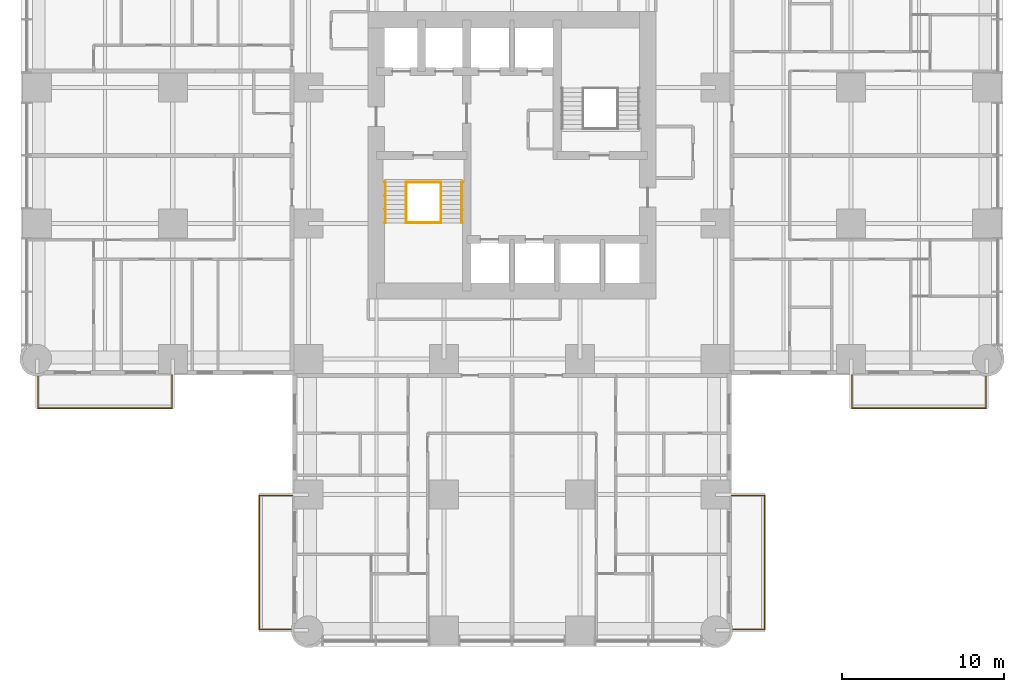
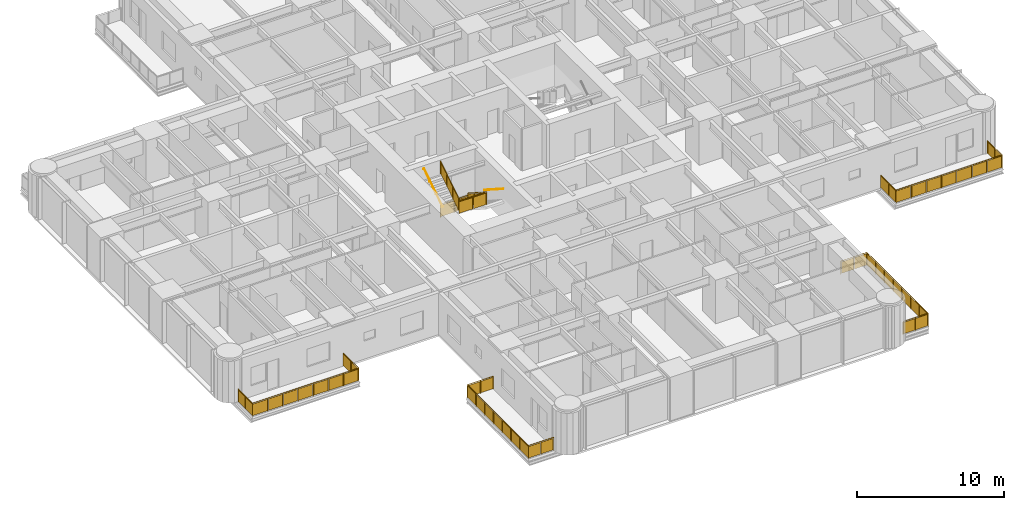
# One storey, part 16 of 17: 10 railings.
"""IFC4 building model written with IfcOpenShell, lengths in metres."""

from ifc_helpers import new_model, si_unit, direction, frame, origin, origin_2d, place, context, subcontext, project, spatial, polyline, circle, outline, extrude, material, constituent, constituent_set, type_object, element, save


model = new_model("IFC4")

# Units and contexts
model_context = context("Model", 3, precision=1e-05, world=origin(), true_north=direction((0.0, 1.0)))
body_context = subcontext(model_context, "Body", "Model", "MODEL_VIEW")
ifc_project = project(units=[si_unit("LENGTHUNIT", "METRE"), si_unit("AREAUNIT", "SQUARE_METRE"), si_unit("VOLUMEUNIT", "CUBIC_METRE"), si_unit("PLANEANGLEUNIT", "RADIAN"), si_unit("MASSUNIT", "GRAM", prefix="KILO")], contexts=[model_context])

# Site, building, storey
site_placement = place(None, origin())
site = spatial("IfcSite", under=ifc_project, at=site_placement, CompositionType="ELEMENT")
building_placement = place(site_placement, origin())
building = spatial("IfcBuilding", under=site, at=building_placement, Name="Torre Alcanfor", CompositionType="ELEMENT")
storey_placement = place(building_placement, frame((0.0, 0.0, 38.10009765625)))
storey = spatial("IfcBuildingStorey", under=building, at=storey_placement, Name="L08", CompositionType="ELEMENT", Elevation=38.10009765625)

# Railings
ifc_material_1 = material(Name="Laminated safety glass", Category="glass")
ifc_constituent_1 = constituent(ifc_material_1, Name="Infill")
ifc_material_2 = material(Name="Stainless steel ASTM A554 Grade MT 316L tube", Category="steel")
ifc_constituent_2 = constituent(ifc_material_2, Name="Posts and rail")
ifc_constituent_set = constituent_set(constituents=[ifc_constituent_1, ifc_constituent_2], Name="Balcony guard glass 1100")
railing_type_1 = type_object("IfcRailingType", Name="Balcony guard glass 1100", PredefinedType="BALUSTRADE", material=ifc_constituent_set)
railing_1_placement = place(storey_placement, frame((50.449951171875, 15.800048828125, 0.0)))
element("IfcRailing", 1, at=railing_1_placement, inside=storey, type_object=railing_type_1, Name="Balcony guard L08-E2", PredefinedType="BALUSTRADE", context=body_context, shape_type="SweptSolid", body=[
    extrude(circle(Radius=0.02392578125, at=origin_2d()), frame((0.0, 0.0, 1.076171875), z_axis=(0.0, -1.0, 0.0), x_axis=(1.0, 0.0, 0.0)), (0.0, 0.0, 1.0), 2.050048828125),
    extrude(circle(Radius=0.02392578125, at=origin_2d()), frame((0.0, -2.050048828125, 1.076171875), z_axis=(1.0, 0.0, 0.0), x_axis=(0.0, 1.0, 0.0)), (0.0, 0.0, 1.0), 8.300048828125),
    extrude(circle(Radius=0.02392578125, at=origin_2d()), frame((8.300048828125, -2.050048828125, 1.076171875), z_axis=(0.0, 1.0, 0.0), x_axis=(-1.0, 0.0, 0.0)), (0.0, 0.0, 1.0), 1.968994140625),
    extrude(circle(Radius=0.02099609375, at=origin_2d()), origin(), (0.0, 0.0, 1.0), 1.052001953125),
    extrude(circle(Radius=0.02099609375, at=origin_2d()), frame((0.0, -1.02490234375, 0.0)), (0.0, 0.0, 1.0), 1.052001953125),
    extrude(circle(Radius=0.02099609375, at=origin_2d()), frame((0.0, -2.050048828125, 0.0)), (0.0, 0.0, 1.0), 1.052001953125),
    extrude(circle(Radius=0.02099609375, at=origin_2d()), frame((1.185791015625, -2.050048828125, 0.0)), (0.0, 0.0, 1.0), 1.052001953125),
    extrude(circle(Radius=0.02099609375, at=origin_2d()), frame((2.371337890625, -2.050048828125, 0.0)), (0.0, 0.0, 1.0), 1.052001953125),
    extrude(circle(Radius=0.02099609375, at=origin_2d()), frame((3.55712890625, -2.050048828125, 0.0)), (0.0, 0.0, 1.0), 1.052001953125),
    extrude(circle(Radius=0.02099609375, at=origin_2d()), frame((4.742919921875, -2.050048828125, 0.0)), (0.0, 0.0, 1.0), 1.052001953125),
    extrude(circle(Radius=0.02099609375, at=origin_2d()), frame((5.9287109375, -2.050048828125, 0.0)), (0.0, 0.0, 1.0), 1.052001953125),
    extrude(circle(Radius=0.02099609375, at=origin_2d()), frame((7.1142578125, -2.050048828125, 0.0)), (0.0, 0.0, 1.0), 1.052001953125),
    extrude(circle(Radius=0.02099609375, at=origin_2d()), frame((8.300048828125, -2.050048828125, 0.0)), (0.0, 0.0, 1.0), 1.052001953125),
    extrude(circle(Radius=0.02099609375, at=origin_2d()), frame((8.300048828125, -1.0654296875, 0.0)), (0.0, 0.0, 1.0), 1.052001953125),
    extrude(circle(Radius=0.02099609375, at=origin_2d()), frame((8.300048828125, -0.0810546875, 0.0)), (0.0, 0.0, 1.0), 1.052001953125),
    extrude(outline(polyline([(0.041015625, 0.050048828125), (0.984130859375, 0.050048828125), (0.984130859375, 1.001953125), (0.041015625, 1.001953125), (0.041015625, 0.050048828125)])), frame((0.005859375, 0.0, 0.0), z_axis=(-1.0, 0.0, 0.0), x_axis=(0.0, -1.0, 0.0)), (0.0, 0.0, 1.0), 0.011962890625),
    extrude(outline(polyline([(1.06591796875, 0.050048828125), (2.009033203125, 0.050048828125), (2.009033203125, 1.001953125), (1.06591796875, 1.001953125), (1.06591796875, 0.050048828125)])), frame((0.005859375, 0.0, 0.0), z_axis=(-1.0, 0.0, 0.0), x_axis=(0.0, -1.0, 0.0)), (0.0, 0.0, 1.0), 0.011962890625),
    extrude(outline(polyline([(0.041015625, 0.050048828125), (1.144775390625, 0.050048828125), (1.144775390625, 1.001953125), (0.041015625, 1.001953125), (0.041015625, 0.050048828125)])), frame((0.0, -2.0439453125, 0.0), z_axis=(0.0, -1.0, 0.0), x_axis=(1.0, 0.0, 0.0)), (0.0, 0.0, 1.0), 0.011962890625),
    extrude(outline(polyline([(1.226806640625, 0.050048828125), (2.330322265625, 0.050048828125), (2.330322265625, 1.001953125), (1.226806640625, 1.001953125), (1.226806640625, 0.050048828125)])), frame((0.0, -2.0439453125, 0.0), z_axis=(0.0, -1.0, 0.0), x_axis=(1.0, 0.0, 0.0)), (0.0, 0.0, 1.0), 0.011962890625),
    extrude(outline(polyline([(2.412353515625, 0.050048828125), (3.51611328125, 0.050048828125), (3.51611328125, 1.001953125), (2.412353515625, 1.001953125), (2.412353515625, 0.050048828125)])), frame((0.0, -2.0439453125, 0.0), z_axis=(0.0, -1.0, 0.0), x_axis=(1.0, 0.0, 0.0)), (0.0, 0.0, 1.0), 0.011962890625),
    extrude(outline(polyline([(3.59814453125, 0.050048828125), (4.701904296875, 0.050048828125), (4.701904296875, 1.001953125), (3.59814453125, 1.001953125), (3.59814453125, 0.050048828125)])), frame((0.0, -2.0439453125, 0.0), z_axis=(0.0, -1.0, 0.0), x_axis=(1.0, 0.0, 0.0)), (0.0, 0.0, 1.0), 0.011962890625),
    extrude(outline(polyline([(4.783935546875, 0.050048828125), (5.8876953125, 0.050048828125), (5.8876953125, 1.001953125), (4.783935546875, 1.001953125), (4.783935546875, 0.050048828125)])), frame((0.0, -2.0439453125, 0.0), z_axis=(0.0, -1.0, 0.0), x_axis=(1.0, 0.0, 0.0)), (0.0, 0.0, 1.0), 0.011962890625),
    extrude(outline(polyline([(5.9697265625, 0.050048828125), (7.0732421875, 0.050048828125), (7.0732421875, 1.001953125), (5.9697265625, 1.001953125), (5.9697265625, 0.050048828125)])), frame((0.0, -2.0439453125, 0.0), z_axis=(0.0, -1.0, 0.0), x_axis=(1.0, 0.0, 0.0)), (0.0, 0.0, 1.0), 0.011962890625),
    extrude(outline(polyline([(7.1552734375, 0.050048828125), (8.259033203125, 0.050048828125), (8.259033203125, 1.001953125), (7.1552734375, 1.001953125), (7.1552734375, 0.050048828125)])), frame((0.0, -2.0439453125, 0.0), z_axis=(0.0, -1.0, 0.0), x_axis=(1.0, 0.0, 0.0)), (0.0, 0.0, 1.0), 0.011962890625),
    extrude(outline(polyline([(0.041015625, 0.050048828125), (0.943603515625, 0.050048828125), (0.943603515625, 1.001953125), (0.041015625, 1.001953125), (0.041015625, 0.050048828125)])), frame((8.2939453125, -2.050048828125, 0.0), z_axis=(1.0, 0.0, 0.0), x_axis=(0.0, 1.0, 0.0)), (0.0, 0.0, 1.0), 0.011962890625),
    extrude(outline(polyline([(1.025390625, 0.050048828125), (1.927978515625, 0.050048828125), (1.927978515625, 1.001953125), (1.025390625, 1.001953125), (1.025390625, 0.050048828125)])), frame((8.2939453125, -2.050048828125, 0.0), z_axis=(1.0, 0.0, 0.0), x_axis=(0.0, 1.0, 0.0)), (0.0, 0.0, 1.0), 0.011962890625),
])
railing_2_placement = place(storey_placement, frame((43.0, 8.35009765625, 0.0)))
element("IfcRailing", 2, at=railing_2_placement, inside=storey, type_object=railing_type_1, Name="Balcony guard L08-S1", PredefinedType="BALUSTRADE", context=body_context, shape_type="SweptSolid", body=[
    extrude(circle(Radius=0.02392578125, at=origin_2d()), frame((0.0, 0.0, 1.076171875), z_axis=(1.0, 0.0, 0.0), x_axis=(0.0, 1.0, 0.0)), (0.0, 0.0, 1.0), 2.050048828125),
    extrude(circle(Radius=0.02392578125, at=origin_2d()), frame((2.050048828125, 0.0, 1.076171875), z_axis=(0.0, -1.0, 0.0), x_axis=(1.0, 0.0, 0.0)), (0.0, 0.0, 1.0), 8.300048828125),
    extrude(circle(Radius=0.02392578125, at=origin_2d()), frame((2.050048828125, -8.300048828125, 1.076171875), z_axis=(-1.0, 0.0, 0.0), x_axis=(0.0, -1.0, 0.0)), (0.0, 0.0, 1.0), 1.968994140625),
    extrude(circle(Radius=0.02099609375, at=origin_2d()), origin(), (0.0, 0.0, 1.0), 1.052001953125),
    extrude(circle(Radius=0.02099609375, at=origin_2d()), frame((1.02490234375, 0.0, 0.0)), (0.0, 0.0, 1.0), 1.052001953125),
    extrude(circle(Radius=0.02099609375, at=origin_2d()), frame((2.050048828125, 0.0, 0.0)), (0.0, 0.0, 1.0), 1.052001953125),
    extrude(circle(Radius=0.02099609375, at=origin_2d()), frame((2.050048828125, -1.185791015625, 0.0)), (0.0, 0.0, 1.0), 1.052001953125),
    extrude(circle(Radius=0.02099609375, at=origin_2d()), frame((2.050048828125, -2.371337890625, 0.0)), (0.0, 0.0, 1.0), 1.052001953125),
    extrude(circle(Radius=0.02099609375, at=origin_2d()), frame((2.050048828125, -3.55712890625, 0.0)), (0.0, 0.0, 1.0), 1.052001953125),
    extrude(circle(Radius=0.02099609375, at=origin_2d()), frame((2.050048828125, -4.742919921875, 0.0)), (0.0, 0.0, 1.0), 1.052001953125),
    extrude(circle(Radius=0.02099609375, at=origin_2d()), frame((2.050048828125, -5.9287109375, 0.0)), (0.0, 0.0, 1.0), 1.052001953125),
    extrude(circle(Radius=0.02099609375, at=origin_2d()), frame((2.050048828125, -7.1142578125, 0.0)), (0.0, 0.0, 1.0), 1.052001953125),
    extrude(circle(Radius=0.02099609375, at=origin_2d()), frame((2.050048828125, -8.300048828125, 0.0)), (0.0, 0.0, 1.0), 1.052001953125),
    extrude(circle(Radius=0.02099609375, at=origin_2d()), frame((1.0654296875, -8.300048828125, 0.0)), (0.0, 0.0, 1.0), 1.052001953125),
    extrude(circle(Radius=0.02099609375, at=origin_2d()), frame((0.0810546875, -8.300048828125, 0.0)), (0.0, 0.0, 1.0), 1.052001953125),
    extrude(outline(polyline([(0.041015625, 0.050048828125), (0.984130859375, 0.050048828125), (0.984130859375, 1.001953125), (0.041015625, 1.001953125), (0.041015625, 0.050048828125)])), frame((0.0, 0.005859375, 0.0), z_axis=(0.0, -1.0, 0.0), x_axis=(1.0, 0.0, 0.0)), (0.0, 0.0, 1.0), 0.011962890625),
    extrude(outline(polyline([(1.06591796875, 0.050048828125), (2.009033203125, 0.050048828125), (2.009033203125, 1.001953125), (1.06591796875, 1.001953125), (1.06591796875, 0.050048828125)])), frame((0.0, 0.005859375, 0.0), z_axis=(0.0, -1.0, 0.0), x_axis=(1.0, 0.0, 0.0)), (0.0, 0.0, 1.0), 0.011962890625),
    extrude(outline(polyline([(0.041015625, 0.050048828125), (1.144775390625, 0.050048828125), (1.144775390625, 1.001953125), (0.041015625, 1.001953125), (0.041015625, 0.050048828125)])), frame((2.05615234375, 0.0, 0.0), z_axis=(-1.0, 0.0, 0.0), x_axis=(0.0, -1.0, 0.0)), (0.0, 0.0, 1.0), 0.011962890625),
    extrude(outline(polyline([(1.226806640625, 0.050048828125), (2.330322265625, 0.050048828125), (2.330322265625, 1.001953125), (1.226806640625, 1.001953125), (1.226806640625, 0.050048828125)])), frame((2.05615234375, 0.0, 0.0), z_axis=(-1.0, 0.0, 0.0), x_axis=(0.0, -1.0, 0.0)), (0.0, 0.0, 1.0), 0.011962890625),
    extrude(outline(polyline([(2.412353515625, 0.050048828125), (3.51611328125, 0.050048828125), (3.51611328125, 1.001953125), (2.412353515625, 1.001953125), (2.412353515625, 0.050048828125)])), frame((2.05615234375, 0.0, 0.0), z_axis=(-1.0, 0.0, 0.0), x_axis=(0.0, -1.0, 0.0)), (0.0, 0.0, 1.0), 0.011962890625),
    extrude(outline(polyline([(3.59814453125, 0.050048828125), (4.701904296875, 0.050048828125), (4.701904296875, 1.001953125), (3.59814453125, 1.001953125), (3.59814453125, 0.050048828125)])), frame((2.05615234375, 0.0, 0.0), z_axis=(-1.0, 0.0, 0.0), x_axis=(0.0, -1.0, 0.0)), (0.0, 0.0, 1.0), 0.011962890625),
    extrude(outline(polyline([(4.783935546875, 0.050048828125), (5.8876953125, 0.050048828125), (5.8876953125, 1.001953125), (4.783935546875, 1.001953125), (4.783935546875, 0.050048828125)])), frame((2.05615234375, 0.0, 0.0), z_axis=(-1.0, 0.0, 0.0), x_axis=(0.0, -1.0, 0.0)), (0.0, 0.0, 1.0), 0.011962890625),
    extrude(outline(polyline([(5.9697265625, 0.050048828125), (7.0732421875, 0.050048828125), (7.0732421875, 1.001953125), (5.9697265625, 1.001953125), (5.9697265625, 0.050048828125)])), frame((2.05615234375, 0.0, 0.0), z_axis=(-1.0, 0.0, 0.0), x_axis=(0.0, -1.0, 0.0)), (0.0, 0.0, 1.0), 0.011962890625),
    extrude(outline(polyline([(7.1552734375, 0.050048828125), (8.259033203125, 0.050048828125), (8.259033203125, 1.001953125), (7.1552734375, 1.001953125), (7.1552734375, 0.050048828125)])), frame((2.05615234375, 0.0, 0.0), z_axis=(-1.0, 0.0, 0.0), x_axis=(0.0, -1.0, 0.0)), (0.0, 0.0, 1.0), 0.011962890625),
    extrude(outline(polyline([(0.041015625, 0.050048828125), (0.943603515625, 0.050048828125), (0.943603515625, 1.001953125), (0.041015625, 1.001953125), (0.041015625, 0.050048828125)])), frame((2.050048828125, -8.30615234375, 0.0), z_axis=(0.0, 1.0, 0.0), x_axis=(-1.0, 0.0, 0.0)), (0.0, 0.0, 1.0), 0.011962890625),
    extrude(outline(polyline([(1.025390625, 0.050048828125), (1.927978515625, 0.050048828125), (1.927978515625, 1.001953125), (1.025390625, 1.001953125), (1.025390625, 0.050048828125)])), frame((2.050048828125, -8.30615234375, 0.0), z_axis=(0.0, 1.0, 0.0), x_axis=(-1.0, 0.0, 0.0)), (0.0, 0.0, 1.0), 0.011962890625),
])
railing_3_placement = place(storey_placement, frame((15.800048828125, 8.35009765625, 0.0)))
element("IfcRailing", 3, at=railing_3_placement, inside=storey, type_object=railing_type_1, Name="Balcony guard L08-S2", PredefinedType="BALUSTRADE", context=body_context, shape_type="SweptSolid", body=[
    extrude(circle(Radius=0.02392578125, at=origin_2d()), frame((0.0, 0.0, 1.076171875), z_axis=(-1.0, 0.0, 0.0), x_axis=(0.0, -1.0, 0.0)), (0.0, 0.0, 1.0), 2.050048828125),
    extrude(circle(Radius=0.02392578125, at=origin_2d()), frame((-2.050048828125, 0.0, 1.076171875), z_axis=(0.0, -1.0, 0.0), x_axis=(1.0, 0.0, 0.0)), (0.0, 0.0, 1.0), 8.300048828125),
    extrude(circle(Radius=0.02392578125, at=origin_2d()), frame((-2.050048828125, -8.300048828125, 1.076171875), z_axis=(1.0, 0.0, 0.0), x_axis=(0.0, 1.0, 0.0)), (0.0, 0.0, 1.0), 1.968994140625),
    extrude(circle(Radius=0.02099609375, at=origin_2d()), origin(), (0.0, 0.0, 1.0), 1.052001953125),
    extrude(circle(Radius=0.02099609375, at=origin_2d()), frame((-1.02490234375, 0.0, 0.0)), (0.0, 0.0, 1.0), 1.052001953125),
    extrude(circle(Radius=0.02099609375, at=origin_2d()), frame((-2.050048828125, 0.0, 0.0)), (0.0, 0.0, 1.0), 1.052001953125),
    extrude(circle(Radius=0.02099609375, at=origin_2d()), frame((-2.050048828125, -1.185791015625, 0.0)), (0.0, 0.0, 1.0), 1.052001953125),
    extrude(circle(Radius=0.02099609375, at=origin_2d()), frame((-2.050048828125, -2.371337890625, 0.0)), (0.0, 0.0, 1.0), 1.052001953125),
    extrude(circle(Radius=0.02099609375, at=origin_2d()), frame((-2.050048828125, -3.55712890625, 0.0)), (0.0, 0.0, 1.0), 1.052001953125),
    extrude(circle(Radius=0.02099609375, at=origin_2d()), frame((-2.050048828125, -4.742919921875, 0.0)), (0.0, 0.0, 1.0), 1.052001953125),
    extrude(circle(Radius=0.02099609375, at=origin_2d()), frame((-2.050048828125, -5.9287109375, 0.0)), (0.0, 0.0, 1.0), 1.052001953125),
    extrude(circle(Radius=0.02099609375, at=origin_2d()), frame((-2.050048828125, -7.1142578125, 0.0)), (0.0, 0.0, 1.0), 1.052001953125),
    extrude(circle(Radius=0.02099609375, at=origin_2d()), frame((-2.050048828125, -8.300048828125, 0.0)), (0.0, 0.0, 1.0), 1.052001953125),
    extrude(circle(Radius=0.02099609375, at=origin_2d()), frame((-1.0654296875, -8.300048828125, 0.0)), (0.0, 0.0, 1.0), 1.052001953125),
    extrude(circle(Radius=0.02099609375, at=origin_2d()), frame((-0.0810546875, -8.300048828125, 0.0)), (0.0, 0.0, 1.0), 1.052001953125),
    extrude(outline(polyline([(0.041015625, 0.050048828125), (0.984130859375, 0.050048828125), (0.984130859375, 1.001953125), (0.041015625, 1.001953125), (0.041015625, 0.050048828125)])), frame((0.0, -0.005859375, 0.0), z_axis=(0.0, 1.0, 0.0), x_axis=(-1.0, 0.0, 0.0)), (0.0, 0.0, 1.0), 0.011962890625),
    extrude(outline(polyline([(1.06591796875, 0.050048828125), (2.009033203125, 0.050048828125), (2.009033203125, 1.001953125), (1.06591796875, 1.001953125), (1.06591796875, 0.050048828125)])), frame((0.0, -0.005859375, 0.0), z_axis=(0.0, 1.0, 0.0), x_axis=(-1.0, 0.0, 0.0)), (0.0, 0.0, 1.0), 0.011962890625),
    extrude(outline(polyline([(0.041015625, 0.050048828125), (1.144775390625, 0.050048828125), (1.144775390625, 1.001953125), (0.041015625, 1.001953125), (0.041015625, 0.050048828125)])), frame((-2.0439453125, 0.0, 0.0), z_axis=(-1.0, 0.0, 0.0), x_axis=(0.0, -1.0, 0.0)), (0.0, 0.0, 1.0), 0.011962890625),
    extrude(outline(polyline([(1.226806640625, 0.050048828125), (2.330322265625, 0.050048828125), (2.330322265625, 1.001953125), (1.226806640625, 1.001953125), (1.226806640625, 0.050048828125)])), frame((-2.0439453125, 0.0, 0.0), z_axis=(-1.0, 0.0, 0.0), x_axis=(0.0, -1.0, 0.0)), (0.0, 0.0, 1.0), 0.011962890625),
    extrude(outline(polyline([(2.412353515625, 0.050048828125), (3.51611328125, 0.050048828125), (3.51611328125, 1.001953125), (2.412353515625, 1.001953125), (2.412353515625, 0.050048828125)])), frame((-2.0439453125, 0.0, 0.0), z_axis=(-1.0, 0.0, 0.0), x_axis=(0.0, -1.0, 0.0)), (0.0, 0.0, 1.0), 0.011962890625),
    extrude(outline(polyline([(3.59814453125, 0.050048828125), (4.701904296875, 0.050048828125), (4.701904296875, 1.001953125), (3.59814453125, 1.001953125), (3.59814453125, 0.050048828125)])), frame((-2.0439453125, 0.0, 0.0), z_axis=(-1.0, 0.0, 0.0), x_axis=(0.0, -1.0, 0.0)), (0.0, 0.0, 1.0), 0.011962890625),
    extrude(outline(polyline([(4.783935546875, 0.050048828125), (5.8876953125, 0.050048828125), (5.8876953125, 1.001953125), (4.783935546875, 1.001953125), (4.783935546875, 0.050048828125)])), frame((-2.0439453125, 0.0, 0.0), z_axis=(-1.0, 0.0, 0.0), x_axis=(0.0, -1.0, 0.0)), (0.0, 0.0, 1.0), 0.011962890625),
    extrude(outline(polyline([(5.9697265625, 0.050048828125), (7.0732421875, 0.050048828125), (7.0732421875, 1.001953125), (5.9697265625, 1.001953125), (5.9697265625, 0.050048828125)])), frame((-2.0439453125, 0.0, 0.0), z_axis=(-1.0, 0.0, 0.0), x_axis=(0.0, -1.0, 0.0)), (0.0, 0.0, 1.0), 0.011962890625),
    extrude(outline(polyline([(7.1552734375, 0.050048828125), (8.259033203125, 0.050048828125), (8.259033203125, 1.001953125), (7.1552734375, 1.001953125), (7.1552734375, 0.050048828125)])), frame((-2.0439453125, 0.0, 0.0), z_axis=(-1.0, 0.0, 0.0), x_axis=(0.0, -1.0, 0.0)), (0.0, 0.0, 1.0), 0.011962890625),
    extrude(outline(polyline([(0.041015625, 0.050048828125), (0.943603515625, 0.050048828125), (0.943603515625, 1.001953125), (0.041015625, 1.001953125), (0.041015625, 0.050048828125)])), frame((-2.050048828125, -8.2939453125, 0.0), z_axis=(0.0, -1.0, 0.0), x_axis=(1.0, 0.0, 0.0)), (0.0, 0.0, 1.0), 0.011962890625),
    extrude(outline(polyline([(1.025390625, 0.050048828125), (1.927978515625, 0.050048828125), (1.927978515625, 1.001953125), (1.025390625, 1.001953125), (1.025390625, 0.050048828125)])), frame((-2.050048828125, -8.2939453125, 0.0), z_axis=(0.0, -1.0, 0.0), x_axis=(1.0, 0.0, 0.0)), (0.0, 0.0, 1.0), 0.011962890625),
])
railing_4_placement = place(storey_placement, frame((8.35009765625, 15.800048828125, 0.0)))
element("IfcRailing", 4, at=railing_4_placement, inside=storey, type_object=railing_type_1, Name="Balcony guard L08-W1", PredefinedType="BALUSTRADE", context=body_context, shape_type="SweptSolid", body=[
    extrude(circle(Radius=0.02392578125, at=origin_2d()), frame((0.0, 0.0, 1.076171875), z_axis=(0.0, -1.0, 0.0), x_axis=(1.0, 0.0, 0.0)), (0.0, 0.0, 1.0), 2.050048828125),
    extrude(circle(Radius=0.02392578125, at=origin_2d()), frame((0.0, -2.050048828125, 1.076171875), z_axis=(-1.0, 0.0, 0.0), x_axis=(0.0, -1.0, 0.0)), (0.0, 0.0, 1.0), 8.300048828125),
    extrude(circle(Radius=0.02392578125, at=origin_2d()), frame((-8.300048828125, -2.050048828125, 1.076171875), z_axis=(0.0, 1.0, 0.0), x_axis=(-1.0, 0.0, 0.0)), (0.0, 0.0, 1.0), 1.968994140625),
    extrude(circle(Radius=0.02099609375, at=origin_2d()), origin(), (0.0, 0.0, 1.0), 1.052001953125),
    extrude(circle(Radius=0.02099609375, at=origin_2d()), frame((0.0, -1.02490234375, 0.0)), (0.0, 0.0, 1.0), 1.052001953125),
    extrude(circle(Radius=0.02099609375, at=origin_2d()), frame((0.0, -2.050048828125, 0.0)), (0.0, 0.0, 1.0), 1.052001953125),
    extrude(circle(Radius=0.02099609375, at=origin_2d()), frame((-1.185791015625, -2.050048828125, 0.0)), (0.0, 0.0, 1.0), 1.052001953125),
    extrude(circle(Radius=0.02099609375, at=origin_2d()), frame((-2.371337890625, -2.050048828125, 0.0)), (0.0, 0.0, 1.0), 1.052001953125),
    extrude(circle(Radius=0.02099609375, at=origin_2d()), frame((-3.55712890625, -2.050048828125, 0.0)), (0.0, 0.0, 1.0), 1.052001953125),
    extrude(circle(Radius=0.02099609375, at=origin_2d()), frame((-4.742919921875, -2.050048828125, 0.0)), (0.0, 0.0, 1.0), 1.052001953125),
    extrude(circle(Radius=0.02099609375, at=origin_2d()), frame((-5.9287109375, -2.050048828125, 0.0)), (0.0, 0.0, 1.0), 1.052001953125),
    extrude(circle(Radius=0.02099609375, at=origin_2d()), frame((-7.1142578125, -2.050048828125, 0.0)), (0.0, 0.0, 1.0), 1.052001953125),
    extrude(circle(Radius=0.02099609375, at=origin_2d()), frame((-8.300048828125, -2.050048828125, 0.0)), (0.0, 0.0, 1.0), 1.052001953125),
    extrude(circle(Radius=0.02099609375, at=origin_2d()), frame((-8.300048828125, -1.0654296875, 0.0)), (0.0, 0.0, 1.0), 1.052001953125),
    extrude(circle(Radius=0.02099609375, at=origin_2d()), frame((-8.300048828125, -0.0810546875, 0.0)), (0.0, 0.0, 1.0), 1.052001953125),
    extrude(outline(polyline([(0.041015625, 0.050048828125), (0.984130859375, 0.050048828125), (0.984130859375, 1.001953125), (0.041015625, 1.001953125), (0.041015625, 0.050048828125)])), frame((0.005859375, 0.0, 0.0), z_axis=(-1.0, 0.0, 0.0), x_axis=(0.0, -1.0, 0.0)), (0.0, 0.0, 1.0), 0.011962890625),
    extrude(outline(polyline([(1.06591796875, 0.050048828125), (2.009033203125, 0.050048828125), (2.009033203125, 1.001953125), (1.06591796875, 1.001953125), (1.06591796875, 0.050048828125)])), frame((0.005859375, 0.0, 0.0), z_axis=(-1.0, 0.0, 0.0), x_axis=(0.0, -1.0, 0.0)), (0.0, 0.0, 1.0), 0.011962890625),
    extrude(outline(polyline([(0.041015625, 0.050048828125), (1.144775390625, 0.050048828125), (1.144775390625, 1.001953125), (0.041015625, 1.001953125), (0.041015625, 0.050048828125)])), frame((0.0, -2.05615234375, 0.0), z_axis=(0.0, 1.0, 0.0), x_axis=(-1.0, 0.0, 0.0)), (0.0, 0.0, 1.0), 0.011962890625),
    extrude(outline(polyline([(1.226806640625, 0.050048828125), (2.330322265625, 0.050048828125), (2.330322265625, 1.001953125), (1.226806640625, 1.001953125), (1.226806640625, 0.050048828125)])), frame((0.0, -2.05615234375, 0.0), z_axis=(0.0, 1.0, 0.0), x_axis=(-1.0, 0.0, 0.0)), (0.0, 0.0, 1.0), 0.011962890625),
    extrude(outline(polyline([(2.412353515625, 0.050048828125), (3.51611328125, 0.050048828125), (3.51611328125, 1.001953125), (2.412353515625, 1.001953125), (2.412353515625, 0.050048828125)])), frame((0.0, -2.05615234375, 0.0), z_axis=(0.0, 1.0, 0.0), x_axis=(-1.0, 0.0, 0.0)), (0.0, 0.0, 1.0), 0.011962890625),
    extrude(outline(polyline([(3.59814453125, 0.050048828125), (4.701904296875, 0.050048828125), (4.701904296875, 1.001953125), (3.59814453125, 1.001953125), (3.59814453125, 0.050048828125)])), frame((0.0, -2.05615234375, 0.0), z_axis=(0.0, 1.0, 0.0), x_axis=(-1.0, 0.0, 0.0)), (0.0, 0.0, 1.0), 0.011962890625),
    extrude(outline(polyline([(4.783935546875, 0.050048828125), (5.8876953125, 0.050048828125), (5.8876953125, 1.001953125), (4.783935546875, 1.001953125), (4.783935546875, 0.050048828125)])), frame((0.0, -2.05615234375, 0.0), z_axis=(0.0, 1.0, 0.0), x_axis=(-1.0, 0.0, 0.0)), (0.0, 0.0, 1.0), 0.011962890625),
    extrude(outline(polyline([(5.9697265625, 0.050048828125), (7.0732421875, 0.050048828125), (7.0732421875, 1.001953125), (5.9697265625, 1.001953125), (5.9697265625, 0.050048828125)])), frame((0.0, -2.05615234375, 0.0), z_axis=(0.0, 1.0, 0.0), x_axis=(-1.0, 0.0, 0.0)), (0.0, 0.0, 1.0), 0.011962890625),
    extrude(outline(polyline([(7.1552734375, 0.050048828125), (8.259033203125, 0.050048828125), (8.259033203125, 1.001953125), (7.1552734375, 1.001953125), (7.1552734375, 0.050048828125)])), frame((0.0, -2.05615234375, 0.0), z_axis=(0.0, 1.0, 0.0), x_axis=(-1.0, 0.0, 0.0)), (0.0, 0.0, 1.0), 0.011962890625),
    extrude(outline(polyline([(0.041015625, 0.050048828125), (0.943603515625, 0.050048828125), (0.943603515625, 1.001953125), (0.041015625, 1.001953125), (0.041015625, 0.050048828125)])), frame((-8.30615234375, -2.050048828125, 0.0), z_axis=(1.0, 0.0, 0.0), x_axis=(0.0, 1.0, 0.0)), (0.0, 0.0, 1.0), 0.011962890625),
    extrude(outline(polyline([(1.025390625, 0.050048828125), (1.927978515625, 0.050048828125), (1.927978515625, 1.001953125), (1.025390625, 1.001953125), (1.025390625, 0.050048828125)])), frame((-8.30615234375, -2.050048828125, 0.0), z_axis=(1.0, 0.0, 0.0), x_axis=(0.0, 1.0, 0.0)), (0.0, 0.0, 1.0), 0.011962890625),
])
ifc_material_3 = material(Name="Steel ASTM A500 Grade C hollow sections", Category="steel")
railing_type_2 = type_object("IfcRailingType", Name="Stair guard and handrail 1100", PredefinedType="GUARDRAIL", material=ifc_material_3)
railing_5_placement = place(storey_placement, frame((25.0, 27.75, 0.179931640625)))
element("IfcRailing", 5, at=railing_5_placement, inside=storey, type_object=railing_type_2, Name="Stair guard S1 L08 flight 1", PredefinedType="GUARDRAIL", context=body_context, shape_type="SweptSolid", body=[
    extrude(circle(Radius=0.02392578125, at=origin_2d()), frame((0.0, 0.0, 1.076171875), z_axis=(0.0, -0.841199657755, 0.540724639528), x_axis=(1.0, 0.0, 0.0)), (0.0, 0.0, 1.0), 2.995849609375),
    extrude(circle(Radius=0.02099609375, at=origin_2d()), origin(), (0.0, 0.0, 1.0), 1.052001953125),
    extrude(circle(Radius=0.02099609375, at=origin_2d()), frame((0.0, -0.840087890625, 0.5400390625)), (0.0, 0.0, 1.0), 1.052001953125),
    extrude(circle(Radius=0.02099609375, at=origin_2d()), frame((0.0, -1.679931640625, 1.079833984375)), (0.0, 0.0, 1.0), 1.052001953125),
    extrude(circle(Radius=0.02099609375, at=origin_2d()), frame((0.0, -2.52001953125, 1.619873046875)), (0.0, 0.0, 1.0), 1.052001953125),
    extrude(outline(polyline([(0.041015625, 0.076416015625), (0.799072265625, 0.563720703125), (0.799072265625, 1.515625), (0.041015625, 1.0283203125), (0.041015625, 0.076416015625)])), frame((0.005859375, 0.0, 0.0), z_axis=(-1.0, 0.0, 0.0), x_axis=(0.0, -1.0, 0.0)), (0.0, 0.0, 1.0), 0.011962890625),
    extrude(outline(polyline([(0.881103515625, 0.6162109375), (1.638916015625, 1.103515625), (1.638916015625, 2.0556640625), (0.881103515625, 1.568359375), (0.881103515625, 0.6162109375)])), frame((0.005859375, 0.0, 0.0), z_axis=(-1.0, 0.0, 0.0), x_axis=(0.0, -1.0, 0.0)), (0.0, 0.0, 1.0), 0.011962890625),
    extrude(outline(polyline([(1.720947265625, 1.15625), (2.47900390625, 1.6435546875), (2.47900390625, 2.595458984375), (1.720947265625, 2.108154296875), (1.720947265625, 1.15625)])), frame((0.005859375, 0.0, 0.0), z_axis=(-1.0, 0.0, 0.0), x_axis=(0.0, -1.0, 0.0)), (0.0, 0.0, 1.0), 0.011962890625),
])
railing_6_placement = place(storey_placement, frame((22.85009765625, 25.22998046875, 1.97998046875)))
element("IfcRailing", 6, at=railing_6_placement, inside=storey, type_object=railing_type_2, Name="Stair guard S1 L08 flight 2", PredefinedType="GUARDRAIL", context=body_context, shape_type="SweptSolid", body=[
    extrude(circle(Radius=0.02392578125, at=origin_2d()), frame((0.0, 0.0, 1.076171875), z_axis=(0.0, 0.841199657755, 0.540724639528), x_axis=(-1.0, 0.0, 0.0)), (0.0, 0.0, 1.0), 2.995849609375),
    extrude(circle(Radius=0.02099609375, at=origin_2d()), origin(), (0.0, 0.0, 1.0), 1.052001953125),
    extrude(circle(Radius=0.02099609375, at=origin_2d()), frame((0.0, 0.840087890625, 0.5400390625)), (0.0, 0.0, 1.0), 1.052001953125),
    extrude(circle(Radius=0.02099609375, at=origin_2d()), frame((0.0, 1.679931640625, 1.079833984375)), (0.0, 0.0, 1.0), 1.052001953125),
    extrude(circle(Radius=0.02099609375, at=origin_2d()), frame((0.0, 2.52001953125, 1.619873046875)), (0.0, 0.0, 1.0), 1.052001953125),
    extrude(outline(polyline([(0.041015625, 0.076416015625), (0.799072265625, 0.563720703125), (0.799072265625, 1.515625), (0.041015625, 1.0283203125), (0.041015625, 0.076416015625)])), frame((-0.005859375, 0.0, 0.0), z_axis=(1.0, 0.0, 0.0), x_axis=(0.0, 1.0, 0.0)), (0.0, 0.0, 1.0), 0.011962890625),
    extrude(outline(polyline([(0.881103515625, 0.6162109375), (1.638916015625, 1.103515625), (1.638916015625, 2.0556640625), (0.881103515625, 1.568359375), (0.881103515625, 0.6162109375)])), frame((-0.005859375, 0.0, 0.0), z_axis=(1.0, 0.0, 0.0), x_axis=(0.0, 1.0, 0.0)), (0.0, 0.0, 1.0), 0.011962890625),
    extrude(outline(polyline([(1.720947265625, 1.15625), (2.47900390625, 1.6435546875), (2.47900390625, 2.595458984375), (1.720947265625, 2.108154296875), (1.720947265625, 1.15625)])), frame((-0.005859375, 0.0, 0.0), z_axis=(1.0, 0.0, 0.0), x_axis=(0.0, 1.0, 0.0)), (0.0, 0.0, 1.0), 0.011962890625),
])
for number, where, name in (
    (7, (22.85009765625, 27.75, 0.0), "Stair well guard S1 L08 floor landing"),
    (8, (22.85009765625, 25.22998046875, 1.7998046875), "Stair well guard S1 L08 half landing"),
):
    element("IfcRailing", number, at=place(storey_placement, frame(where)), inside=storey, type_object=railing_type_2, Name=name, PredefinedType="GUARDRAIL", context=body_context, shape_type="SweptSolid", body=[
        extrude(circle(Radius=0.02392578125, at=origin_2d()), frame((0.0, 0.0, 1.076171875), z_axis=(1.0, 0.0, 0.0), x_axis=(0.0, 1.0, 0.0)), (0.0, 0.0, 1.0), 2.14990234375),
        extrude(circle(Radius=0.02099609375, at=origin_2d()), origin(), (0.0, 0.0, 1.0), 1.052001953125),
        extrude(circle(Radius=0.02099609375, at=origin_2d()), frame((1.074951171875, 0.0, 0.0)), (0.0, 0.0, 1.0), 1.052001953125),
        extrude(circle(Radius=0.02099609375, at=origin_2d()), frame((2.14990234375, 0.0, 0.0)), (0.0, 0.0, 1.0), 1.052001953125),
        extrude(outline(polyline([(0.041015625, 0.050048828125), (1.033935546875, 0.050048828125), (1.033935546875, 1.001953125), (0.041015625, 1.001953125), (0.041015625, 0.050048828125)])), frame((0.0, 0.005859375, 0.0), z_axis=(0.0, -1.0, 0.0), x_axis=(1.0, 0.0, 0.0)), (0.0, 0.0, 1.0), 0.011962890625),
        extrude(outline(polyline([(1.115966796875, 0.050048828125), (2.10888671875, 0.050048828125), (2.10888671875, 1.001953125), (1.115966796875, 1.001953125), (1.115966796875, 0.050048828125)])), frame((0.0, 0.005859375, 0.0), z_axis=(0.0, -1.0, 0.0), x_axis=(1.0, 0.0, 0.0)), (0.0, 0.0, 1.0), 0.011962890625),
    ])
ifc_material_4 = material(Name="Steel ASTM A500 Grade C hollow sections", Category="steel")
railing_type_3 = type_object("IfcRailingType", Name="Stair wall handrail 900", PredefinedType="HANDRAIL", material=ifc_material_4)
railing_7_placement = place(storey_placement, frame((26.284912109375, 27.75, 0.179931640625)))
element("IfcRailing", 9, at=railing_7_placement, inside=storey, type_object=railing_type_3, Name="Stair handrail S1 L08 flight 1", PredefinedType="HANDRAIL", context=body_context, shape_type="SweptSolid", body=[
    extrude(circle(Radius=0.02392578125, at=origin_2d()), frame((0.0, 0.0, 0.8759765625), z_axis=(0.0, -0.841199657755, 0.540724639528), x_axis=(1.0, 0.0, 0.0)), (0.0, 0.0, 1.0), 2.995849609375),
    extrude(circle(Radius=0.008056640625, at=origin_2d()), frame((0.0, 0.0, 0.8759765625), z_axis=(1.0, 0.0, 0.0), x_axis=(0.0, 0.0, 1.0)), (0.0, 0.0, 1.0), 0.06494140625),
    extrude(circle(Radius=0.008056640625, at=origin_2d()), frame((0.0, -0.840087890625, 1.415771484375), z_axis=(1.0, 0.0, 0.0), x_axis=(0.0, 0.0, 1.0)), (0.0, 0.0, 1.0), 0.06494140625),
    extrude(circle(Radius=0.008056640625, at=origin_2d()), frame((0.0, -1.679931640625, 1.955810546875), z_axis=(1.0, 0.0, 0.0), x_axis=(0.0, 0.0, 1.0)), (0.0, 0.0, 1.0), 0.06494140625),
    extrude(circle(Radius=0.008056640625, at=origin_2d()), frame((0.0, -2.52001953125, 2.49560546875), z_axis=(1.0, 0.0, 0.0), x_axis=(0.0, 0.0, 1.0)), (0.0, 0.0, 1.0), 0.06494140625),
])
railing_8_placement = place(storey_placement, frame((21.56494140625, 25.22998046875, 1.97998046875)))
element("IfcRailing", 10, at=railing_8_placement, inside=storey, type_object=railing_type_3, Name="Stair handrail S1 L08 flight 2", PredefinedType="HANDRAIL", context=body_context, shape_type="SweptSolid", body=[
    extrude(circle(Radius=0.02392578125, at=origin_2d()), frame((0.0, 0.0, 0.8759765625), z_axis=(0.0, 0.841199657755, 0.540724639528), x_axis=(-1.0, 0.0, 0.0)), (0.0, 0.0, 1.0), 2.995849609375),
    extrude(circle(Radius=0.008056640625, at=origin_2d()), frame((0.0, 0.0, 0.8759765625), z_axis=(-1.0, 0.0, 0.0), x_axis=(0.0, 0.0, 1.0)), (0.0, 0.0, 1.0), 0.06494140625),
    extrude(circle(Radius=0.008056640625, at=origin_2d()), frame((0.0, 0.840087890625, 1.415771484375), z_axis=(-1.0, 0.0, 0.0), x_axis=(0.0, 0.0, 1.0)), (0.0, 0.0, 1.0), 0.06494140625),
    extrude(circle(Radius=0.008056640625, at=origin_2d()), frame((0.0, 1.679931640625, 1.955810546875), z_axis=(-1.0, 0.0, 0.0), x_axis=(0.0, 0.0, 1.0)), (0.0, 0.0, 1.0), 0.06494140625),
    extrude(circle(Radius=0.008056640625, at=origin_2d()), frame((0.0, 2.52001953125, 2.49560546875), z_axis=(-1.0, 0.0, 0.0), x_axis=(0.0, 0.0, 1.0)), (0.0, 0.0, 1.0), 0.06494140625),
])

save(model, "model.ifc")
